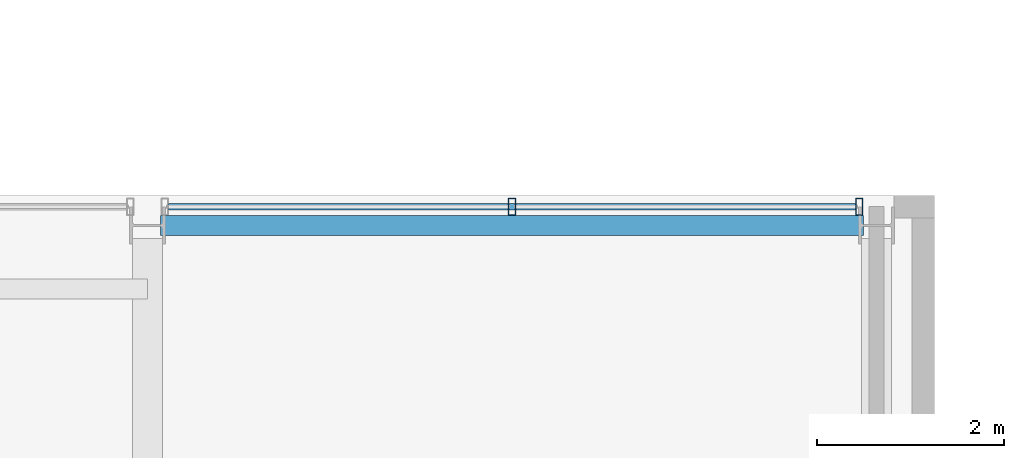
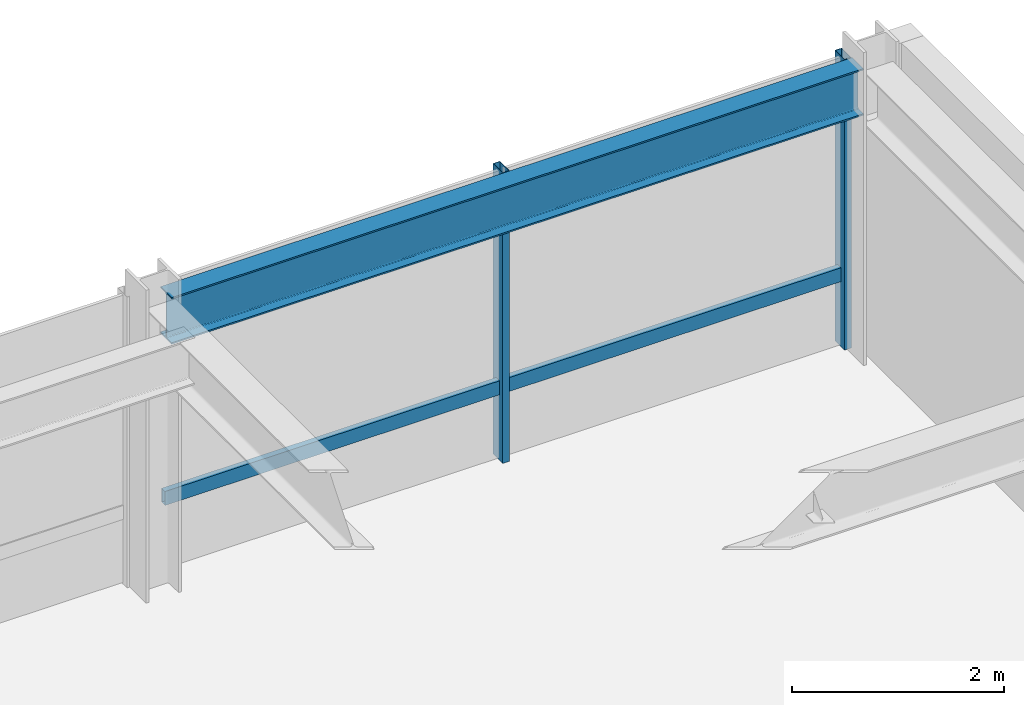
# One storey, part 23 of 30: 3 members, 1 beam, 1 element without a shape of its own.
"""IFC4 building model written with IfcOpenShell, lengths in metres."""

from ifc_helpers import new_model, si_unit, direction, frame, origin, origin_2d, place, context, subcontext, project, spatial, hollow_rectangle, i_section, extrude, material, layer, layer_set, material_profile, profile_set, type_object, element, aggregate, save


model = new_model("IFC4")

# Units and contexts
model_context = context("Model", 3, precision=1e-05, world=origin(), true_north=direction((0.0, 1.0)))
body_context = subcontext(model_context, "Body", "Model", "MODEL_VIEW")
ifc_project = project(units=[si_unit("LENGTHUNIT", "METRE"), si_unit("AREAUNIT", "SQUARE_METRE"), si_unit("VOLUMEUNIT", "CUBIC_METRE"), si_unit("PLANEANGLEUNIT", "RADIAN"), si_unit("MASSUNIT", "GRAM", prefix="KILO")], contexts=[model_context])

# Site, building, storey
site_placement = place(None, origin())
site = spatial("IfcSite", under=ifc_project, at=site_placement, CompositionType="ELEMENT")
building_placement = place(site_placement, origin())
building = spatial("IfcBuilding", under=site, at=building_placement, Name="Drelvath Grand Hotel", CompositionType="ELEMENT")
storey_placement = place(building_placement, frame((0.0, 0.0, 215.89990234375)))
storey = spatial("IfcBuildingStorey", under=building, at=storey_placement, Name="L56", CompositionType="ELEMENT", Elevation=215.89990234375)

# Curtain wall, members
ifc_material_1 = material(Name="Platinum-Mist Anodised Aluminium Frame", Category="aluminium")
ifc_layer = layer(ifc_material_1, 0.199951171875)
ifc_layer_set = layer_set([ifc_layer], Name="Platinum-Mist Anodised Aluminium Frame")
curtain_wall_type = type_object("IfcCurtainWallType", Name="Stick Curtain Wall CW-05 Platinum Mist High-Rise", PredefinedType="NOTDEFINED", material=ifc_layer_set)
curtain_wall_placement = place(storey_placement, origin())
curtain_wall = element("IfcCurtainWall", 1, at=curtain_wall_placement, inside=storey, type_object=curtain_wall_type, Name="L56 CW-05 Curtain Wall CW05-L56-NE2", PredefinedType="NOTDEFINED")
ifc_material_profile_1 = material_profile(ifc_material_1, hollow_rectangle(XDim=0.06494140625, YDim=0.159912109375, WallThickness=0.00390625, at=origin_2d()), Name="HSS160X65X4")
ifc_profile_set_1 = profile_set([ifc_material_profile_1], Name="Platinum-Mist Anodised Aluminium Frame")
member_type_1 = type_object("IfcMemberType", Name="Curtain Wall Horizontal Transom CW-05 HSS160X65X4", PredefinedType="USERDEFINED", material=ifc_profile_set_1)
member_1_placement = place(storey_placement, frame((8.625244140625, 49.080078125, 0.835205078125), z_axis=(1.0, 0.0, 0.0), x_axis=(0.0, 1.0, 0.0)))
member_1 = element("IfcMember", 2, at=member_1_placement, type_object=member_type_1, Name="CW05-L56-NE2 Sill Transom", ObjectType="TRANSOM", PredefinedType="USERDEFINED", context=body_context, shape_type="SweptSolid", body=[
    extrude(hollow_rectangle(XDim=0.06494140625, YDim=0.159912109375, WallThickness=0.00390625, at=origin_2d()), origin(), (0.0, 0.0, 1.0), 7.349365234375),
])
ifc_material_profile_2 = material_profile(ifc_material_1, hollow_rectangle(XDim=0.074951171875, YDim=0.179931640625, WallThickness=0.0048828125, at=origin_2d()), Name="HSS180X75X5")
ifc_profile_set_2 = profile_set([ifc_material_profile_2], Name="Platinum-Mist Anodised Aluminium Frame")
member_type_2 = type_object("IfcMemberType", Name="Curtain Wall Vertical Mullion CW-05 HSS180X75X5", PredefinedType="MULLION", material=ifc_profile_set_2)
member_2_placement = place(storey_placement, frame((12.300048828125, 49.080078125, 0.0), z_axis=(0.0, 0.0, 1.0), x_axis=(1.0, 0.0, 0.0)))
member_2 = element("IfcMember", 3, at=member_2_placement, type_object=member_type_2, Name="CW05-L56-NE2 Mullion 2", PredefinedType="MULLION", context=body_context, shape_type="SweptSolid", body=[
    extrude(hollow_rectangle(XDim=0.074951171875, YDim=0.179931640625, WallThickness=0.0048828125, at=origin_2d()), origin(), (0.0, 0.0, 1.0), 3.340087890625),
])
member_3_placement = place(storey_placement, frame((16.0146484375, 49.080078125, 0.0), z_axis=(0.0, 0.0, 1.0), x_axis=(1.0, 0.0, 0.0)))
member_3 = element("IfcMember", 4, at=member_3_placement, type_object=member_type_2, Name="CW05-L56-NE2 Mullion 3", PredefinedType="MULLION", context=body_context, shape_type="SweptSolid", body=[
    extrude(hollow_rectangle(XDim=0.074951171875, YDim=0.179931640625, WallThickness=0.0048828125, at=origin_2d()), origin(), (0.0, 0.0, 1.0), 3.340087890625),
])
aggregate(curtain_wall, [member_2, member_3, member_1])

# Beam
ifc_material_2 = material(Name="Steel ASTM A992 Gr 50", Category="steel")
ifc_material_profile_3 = material_profile(ifc_material_2, i_section(OverallWidth=0.210205078125, OverallDepth=0.53662109375, WebThickness=0.010986328125, FlangeThickness=0.017333984375, FilletRadius=0.01806640625, at=origin_2d()), Name="W21X68")
ifc_profile_set_3 = profile_set([ifc_material_profile_3], Name="Steel ASTM A992 Gr 50")
beam_type = type_object("IfcBeamType", Name="Perimeter Spandrel Beam W21X68", PredefinedType="SPANDREL", material=ifc_profile_set_3)
beam_placement = place(storey_placement, frame((8.5400390625, 48.8798828125, 3.07177734375), z_axis=(1.0, 0.0, 0.0), x_axis=(0.0, 1.0, 0.0)))
element("IfcBeam", 5, at=beam_placement, inside=storey, type_object=beam_type, Name="L56 Spandrel North E", PredefinedType="SPANDREL", context=body_context, shape_type="SweptSolid", body=[
    extrude(i_section(OverallWidth=0.210205078125, OverallDepth=0.53662109375, WebThickness=0.010986328125, FlangeThickness=0.017333984375, FilletRadius=0.01806640625, at=origin_2d()), origin(), (0.0, 0.0, 1.0), 7.52001953125),
])

save(model, "model.ifc")
